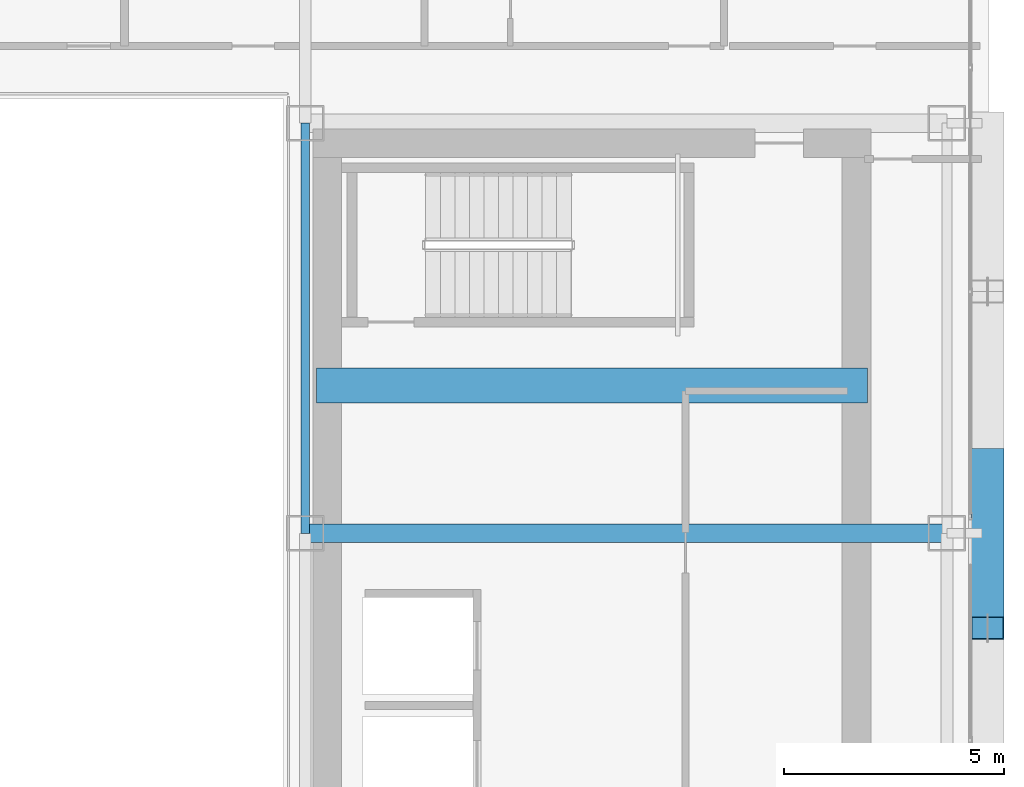
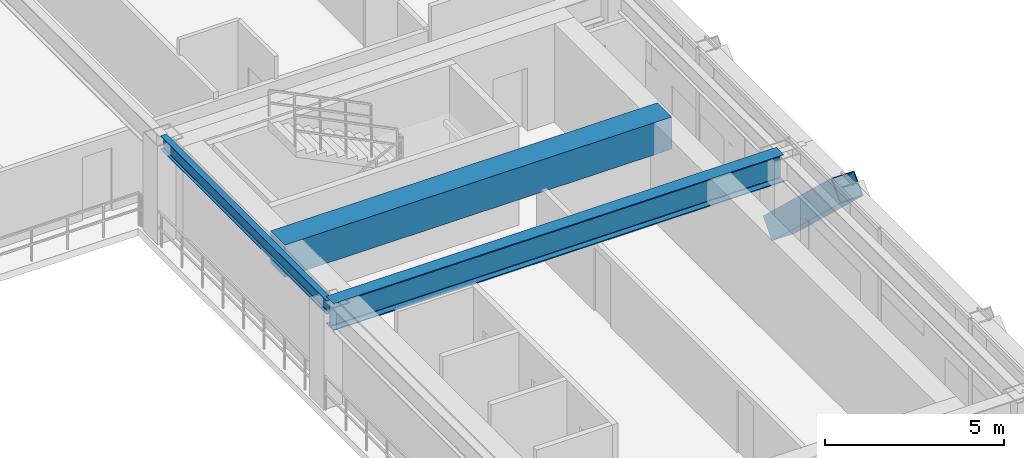
# One storey, part 14 of 34: 3 beams, 1 member.
"""IFC4 building model written with IfcOpenShell, lengths in metres."""

from ifc_helpers import new_model, si_unit, direction, frame, origin, origin_2d, place, context, subcontext, project, spatial, rectangle, hollow_rectangle, i_section, extrude, source, transform, mapped, material, material_profile, profile_set, type_object, element, save


model = new_model("IFC4")

# Units and contexts
model_context = context("Model", 3, precision=1e-05, world=origin(), true_north=direction((0.0, 1.0)))
body_context = subcontext(model_context, "Body", "Model", "MODEL_VIEW")
ifc_project = project(units=[si_unit("LENGTHUNIT", "METRE"), si_unit("AREAUNIT", "SQUARE_METRE"), si_unit("VOLUMEUNIT", "CUBIC_METRE"), si_unit("PLANEANGLEUNIT", "RADIAN"), si_unit("MASSUNIT", "GRAM", prefix="KILO")], contexts=[model_context])

# Site, building, storey
site_placement = place(None, origin())
site = spatial("IfcSite", under=ifc_project, at=site_placement, CompositionType="ELEMENT")
building_placement = place(site_placement, origin())
building = spatial("IfcBuilding", under=site, at=building_placement, Name="Ocotamira Hotel", CompositionType="ELEMENT")
storey_placement = place(building_placement, frame((0.0, 0.0, 111.60009765625)))
storey = spatial("IfcBuildingStorey", under=building, at=storey_placement, Name="L27", CompositionType="ELEMENT", Elevation=111.60009765625)

# Beams
ifc_material_1 = material(Name="Concrete C60/75", Category="concrete")
ifc_material_profile_1 = material_profile(ifc_material_1, rectangle(XDim=0.800048828125, YDim=1.10009765625, at=origin_2d()), Name="RC800X1100")
ifc_profile_set_1 = profile_set([ifc_material_profile_1], Name="Concrete C60/75")
beam_type_1 = type_object("IfcBeamType", Name="BM-LINK-RC800", PredefinedType="LINTEL", material=ifc_profile_set_1)
shared_shape_1 = source(origin(), body_context, "Body", "SweptSolid", [
    extrude(rectangle(XDim=0.800048828125, YDim=1.10009765625, at=origin_2d()), origin(), (0.0, 0.0, 1.0), 12.5),
])
beam_1_placement = place(storey_placement, frame((40.75, 31.5, 2.809814453125), z_axis=(1.0, 0.0, 0.0), x_axis=(0.0, 1.0, 0.0)))
element("IfcBeam", 1, at=beam_1_placement, inside=storey, type_object=beam_type_1, Name="L27 East Core Coupling Beam", PredefinedType="LINTEL", context=body_context, shape_type="MappedRepresentation", body=[
    mapped(shared_shape_1, transform((0.0, 0.0, 0.0), scale=1.0)),
])
ifc_material_2 = material(Name="Steel ASTM A992 Grade 50", Category="steel")
ifc_material_profile_2 = material_profile(ifc_material_2, i_section(OverallWidth=0.41796875, OverallDepth=0.927001953125, WebThickness=0.019287109375, FlangeThickness=0.031982421875, FilletRadius=0.02392578125, at=origin_2d()), Name="W36X231")
ifc_profile_set_2 = profile_set([ifc_material_profile_2], Name="Steel ASTM A992 Grade 50")
beam_type_2 = type_object("IfcBeamType", Name="BM-GIRD-W36X231", PredefinedType="BEAM", material=ifc_profile_set_2)
shared_shape_2 = source(origin(), body_context, "Body", "SweptSolid", [
    extrude(i_section(OverallWidth=0.41796875, OverallDepth=0.927001953125, WebThickness=0.019287109375, FlangeThickness=0.031982421875, FilletRadius=0.02392578125, at=origin_2d()), origin(), (0.0, 0.0, 1.0), 14.550048828125),
])
beam_2_placement = place(storey_placement, frame((40.5, 28.14990234375, 2.896484375), z_axis=(1.0, 0.0, 0.0), x_axis=(0.0, 1.0, 0.0)))
element("IfcBeam", 2, at=beam_2_placement, inside=storey, type_object=beam_type_2, Name="L27 Girder Y28.15 X40.5-55.05", PredefinedType="BEAM", context=body_context, shape_type="MappedRepresentation", body=[
    mapped(shared_shape_2, transform((0.0, 0.0, 0.0), scale=1.0)),
])
ifc_material_profile_3 = material_profile(ifc_material_2, i_section(OverallWidth=0.18994140625, OverallDepth=0.45703125, WebThickness=0.009033203125, FlangeThickness=0.014404296875, FilletRadius=0.010009765625, at=origin_2d()), Name="W18X50")
ifc_profile_set_3 = profile_set([ifc_material_profile_3], Name="Steel ASTM A992 Grade 50")
beam_type_3 = type_object("IfcBeamType", Name="BM-SEC-W18X50", PredefinedType="JOIST", material=ifc_profile_set_3)
shared_shape_3 = source(origin(), body_context, "Body", "SweptSolid", [
    extrude(i_section(OverallWidth=0.18994140625, OverallDepth=0.45703125, WebThickness=0.009033203125, FlangeThickness=0.014404296875, FilletRadius=0.010009765625, at=origin_2d()), origin(), (0.0, 0.0, 1.0), 9.300048828125),
])
beam_3_placement = place(storey_placement, frame((40.5, 28.14990234375, 3.13134765625), z_axis=(0.0, 1.0, 0.0), x_axis=(-1.0, 0.0, 0.0)))
element("IfcBeam", 3, at=beam_3_placement, inside=storey, type_object=beam_type_3, Name="L27 Beam X40.5 Y28.15-37.45", PredefinedType="JOIST", context=body_context, shape_type="MappedRepresentation", body=[
    mapped(shared_shape_3, transform((0.0, 0.0, 0.0), scale=1.0)),
])

# Member
ifc_material_3 = material(Name="Pale-metal coated steel ASTM A913 Grade 65", Category="steel")
ifc_material_profile_4 = material_profile(ifc_material_3, hollow_rectangle(XDim=0.75, YDim=0.75, WallThickness=0.028076171875, at=origin_2d()), Name="BOX750X750X28")
ifc_profile_set_4 = profile_set([ifc_material_profile_4], Name="Pale-metal coated steel ASTM A913 Grade 65")
member_type = type_object("IfcMemberType", Name="MEM-EXO-BOX750", PredefinedType="BRACE", material=ifc_profile_set_4)
shared_shape_4 = source(origin(), body_context, "Body", "SweptSolid", [
    extrude(hollow_rectangle(XDim=0.75, YDim=0.75, WallThickness=0.028076171875, at=origin_2d()), origin(), (0.0, 0.0, 1.0), 5.24658203125),
])
member_placement = place(storey_placement, frame((55.969970703125, 29.816650390625, -0.489990234375), z_axis=(0.0, -0.72746596067, 0.686143772154), x_axis=(1.0, 0.0, 0.0)))
element("IfcMember", 4, at=member_placement, inside=storey, type_object=member_type, Name="L27 Exoskeleton Diagrid E1.2", PredefinedType="BRACE", context=body_context, shape_type="MappedRepresentation", body=[
    mapped(shared_shape_4, transform((0.0, 0.0, 0.0), scale=1.0)),
])

save(model, "model.ifc")
